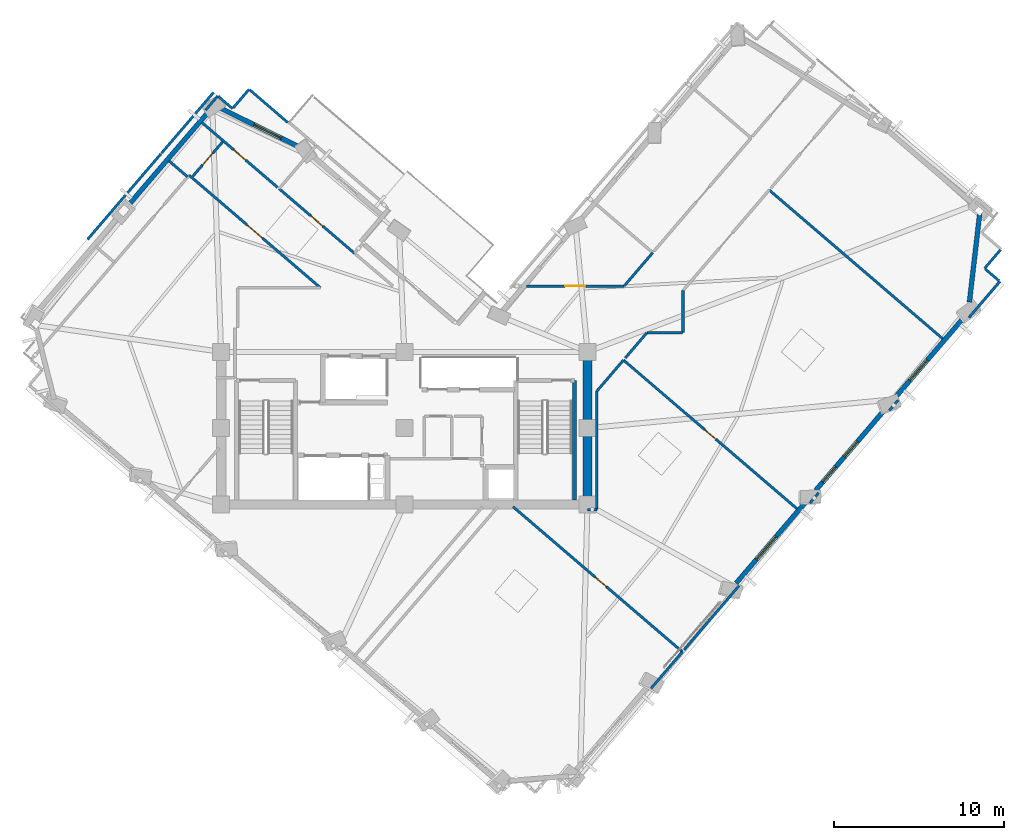
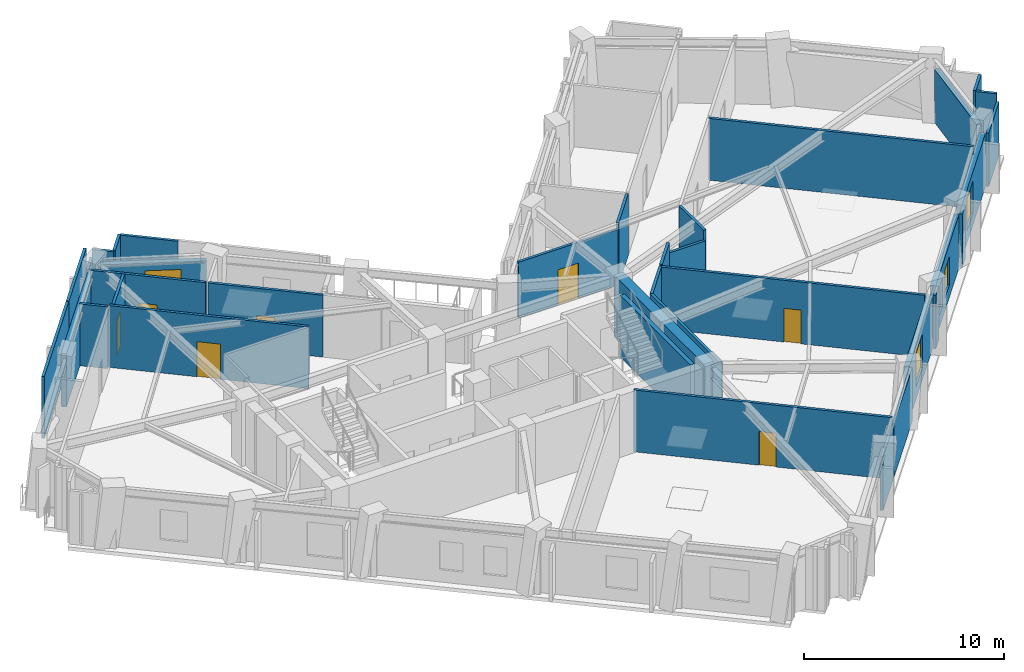
# One storey, part 7 of 12: 37 walls, 7 doors, 5 windows, 12 openings.
"""IFC4 building model written with IfcOpenShell, lengths in metres."""

from ifc_helpers import new_model, si_unit, direction, frame, frame_2d, origin, place, context, subcontext, project, spatial, rectangle, extrude, material, layer, layer_set, type_object, element, fill, save


model = new_model("IFC4")

# Units and contexts
model_context = context("Model", 3, precision=1e-05, world=origin(), true_north=direction((0.0, 1.0)))
body_context = subcontext(model_context, "Body", "Model", "MODEL_VIEW")
ifc_project = project(units=[si_unit("LENGTHUNIT", "METRE"), si_unit("AREAUNIT", "SQUARE_METRE"), si_unit("VOLUMEUNIT", "CUBIC_METRE"), si_unit("PLANEANGLEUNIT", "RADIAN"), si_unit("MASSUNIT", "GRAM", prefix="KILO")], contexts=[model_context])

# Site, building, storey
site_placement = place(None, origin())
site = spatial("IfcSite", under=ifc_project, at=site_placement, CompositionType="ELEMENT")
building_placement = place(site_placement, origin())
building = spatial("IfcBuilding", under=site, at=building_placement, Name="Gaonmaruhae Medical Tower", CompositionType="ELEMENT")
storey_placement = place(building_placement, frame((0.0, 0.0, 235.199951171875)))
storey = spatial("IfcBuildingStorey", under=building, at=storey_placement, Name="L56", CompositionType="ELEMENT", Elevation=235.199951171875)

# Wall
ifc_material_1 = material(Name="Concrete C50/60", Category="concrete")
ifc_layer_1 = layer(ifc_material_1, 0.550048828125)
ifc_layer_set_1 = layer_set([ifc_layer_1], Name="Concrete C50/60")
wall_type_1 = type_object("IfcWallType", Name="CW-550 Mid-High Core Shear Wall", PredefinedType="SHEAR", material=ifc_layer_set_1)
wall_1_placement = place(storey_placement, frame((35.60009765625, 7.800048828125, 0.0), z_axis=(0.0, 0.0, 1.0), x_axis=(0.0, 1.0, 0.0)))
element("IfcWall", 1, at=wall_1_placement, inside=storey, type_object=wall_type_1, Name="L56 Core Shear Wall CSW-E1", PredefinedType="SHEAR", context=body_context, shape_type="SweptSolid", body=[
    extrude(rectangle(XDim=9.0, YDim=0.550048828125, at=frame_2d((4.5, 0.0))), origin(), (0.0, 0.0, 1.0), 3.780029296875),
])

# Wall, opening, window
ifc_material_2 = material(Name="Precast concrete C45/55", Category="concrete")
ifc_layer_2 = layer(ifc_material_2, 0.280029296875)
ifc_layer_set_2 = layer_set([ifc_layer_2], Name="Precast concrete C45/55")
wall_type_2 = type_object("IfcWallType", Name="EW-280 Upper Precast Masonry-Frame Facade Wall", PredefinedType="SOLIDWALL", material=ifc_layer_set_2)
wall_2_placement = place(storey_placement, frame((48.533447265625, 8.033203125, 0.0), z_axis=(0.0, 0.0, 1.0), x_axis=(-0.65075688848, -0.759286159557, 0.0)))
wall_2 = element("IfcWall", 2, at=wall_2_placement, inside=storey, type_object=wall_type_2, Name="L56 Precast Masonry-Frame Wall S03-S04", PredefinedType="SOLIDWALL", context=body_context, shape_type="SweptSolid", body=[
    extrude(rectangle(XDim=6.413330078125, YDim=0.280029296875, at=frame_2d((3.20654296875, 0.0))), origin(), (0.0, 0.0, 1.0), 3.26513671875),
])
opening_1_placement = place(wall_2_placement, frame((2.783203125, 0.0, 0.75)))
opening_1 = element("IfcOpeningElement", 3, at=opening_1_placement, cuts=wall_2, Name="Opening WN-04", PredefinedType="OPENING", context=body_context, shape_type="SweptSolid", body=[
    extrude(rectangle(XDim=1.800048828125, YDim=2.050048828125, at=frame_2d((0.89990234375, 1.02490234375))), frame((0.0, 0.14990234375, 0.0), z_axis=(0.0, -1.0, 0.0), x_axis=(1.0, 0.0, 0.0)), (0.0, 0.0, 1.0), 0.300048828125),
])
ifc_material_3 = material(Name="Anodised aluminium and Low-E double glazing", Category="aluminium")
window_type_1 = type_object("IfcWindowType", Name="WN-04 Clinic & Consult Punched Window 1800x2050", PartitioningType="SINGLE_PANEL", PredefinedType="WINDOW", material=ifc_material_3)
window_1_placement = place(opening_1_placement, origin())
window_1 = element("IfcWindow", 4, at=window_1_placement, inside=storey, type_object=window_type_1, Name="L56 Modular Facade Window S03", OverallHeight=2.050048828125, OverallWidth=1.800048828125, PartitioningType="SINGLE_PANEL", PredefinedType="WINDOW", context=body_context, shape_type="SweptSolid", body=[
    extrude(rectangle(XDim=1.800048828125, YDim=2.050048828125, at=frame_2d((0.89990234375, 1.02490234375))), frame((0.0, 0.030029296875, 0.0), z_axis=(0.0, -1.0, 0.0), x_axis=(1.0, 0.0, 0.0)), (0.0, 0.0, 1.0), 0.06005859375),
])
fill(opening_1, window_1)

# Wall, openings, windows
wall_3_placement = place(storey_placement, frame((53.219482421875, 13.50048828125, 0.0), z_axis=(0.0, 0.0, 1.0), x_axis=(-0.650778820715, -0.759267361678, 0.0)))
wall_3 = element("IfcWall", 5, at=wall_3_placement, inside=storey, type_object=wall_type_2, Name="L56 Precast Masonry-Frame Wall S04-S05", PredefinedType="SOLIDWALL", context=body_context, shape_type="SweptSolid", body=[
    extrude(rectangle(XDim=6.40673828125, YDim=0.280029296875, at=frame_2d((3.203369140625, 0.0))), origin(), (0.0, 0.0, 1.0), 3.26513671875),
])
opening_2_placement = place(wall_3_placement, frame((2.603759765625, 0.0, 0.75)))
opening_2 = element("IfcOpeningElement", 6, at=opening_2_placement, cuts=wall_3, Name="Opening WN-05", PredefinedType="OPENING", context=body_context, shape_type="SweptSolid", body=[
    extrude(rectangle(XDim=1.199951171875, YDim=1.75, at=frame_2d((0.60009765625, 0.875))), frame((0.0, 0.14990234375, 0.0), z_axis=(0.0, -1.0, 0.0), x_axis=(1.0, 0.0, 0.0)), (0.0, 0.0, 1.0), 0.300048828125),
])
opening_3_placement = place(wall_3_placement, frame((4.570068359375, 0.0, 0.75)))
opening_3 = element("IfcOpeningElement", 7, at=opening_3_placement, cuts=wall_3, Name="Opening WN-05", PredefinedType="OPENING", context=body_context, shape_type="SweptSolid", body=[
    extrude(rectangle(XDim=1.199951171875, YDim=1.75, at=frame_2d((0.60009765625, 0.875))), frame((0.0, 0.14990234375, 0.0), z_axis=(0.0, -1.0, 0.0), x_axis=(1.0, 0.0, 0.0)), (0.0, 0.0, 1.0), 0.300048828125),
])
window_type_2 = type_object("IfcWindowType", Name="WN-05 Support & Staff Punched Window 1200x1750", PartitioningType="SINGLE_PANEL", PredefinedType="WINDOW", material=ifc_material_3)
window_2_placement = place(opening_2_placement, origin())
window_2 = element("IfcWindow", 8, at=window_2_placement, inside=storey, type_object=window_type_2, Name="L56 Modular Facade Window S04", OverallHeight=1.75, OverallWidth=1.199951171875, PartitioningType="SINGLE_PANEL", PredefinedType="WINDOW", context=body_context, shape_type="SweptSolid", body=[
    extrude(rectangle(XDim=1.199951171875, YDim=1.75, at=frame_2d((0.60009765625, 0.875))), frame((0.0, 0.030029296875, 0.0), z_axis=(0.0, -1.0, 0.0), x_axis=(1.0, 0.0, 0.0)), (0.0, 0.0, 1.0), 0.06005859375),
])
fill(opening_2, window_2)
window_3_placement = place(opening_3_placement, origin())
window_3 = element("IfcWindow", 9, at=window_3_placement, inside=storey, type_object=window_type_2, Name="L56 Modular Facade Window S04B", OverallHeight=1.75, OverallWidth=1.199951171875, PartitioningType="SINGLE_PANEL", PredefinedType="WINDOW", context=body_context, shape_type="SweptSolid", body=[
    extrude(rectangle(XDim=1.199951171875, YDim=1.75, at=frame_2d((0.60009765625, 0.875))), frame((0.0, 0.030029296875, 0.0), z_axis=(0.0, -1.0, 0.0), x_axis=(1.0, 0.0, 0.0)), (0.0, 0.0, 1.0), 0.06005859375),
])
fill(opening_3, window_3)

# Wall, opening, window
wall_4_placement = place(storey_placement, frame((57.91162109375, 18.974609375, 0.0), z_axis=(0.0, 0.0, 1.0), x_axis=(-0.650781975929, -0.759264657287, 0.0)))
wall_4 = element("IfcWall", 10, at=wall_4_placement, inside=storey, type_object=wall_type_2, Name="L56 Precast Masonry-Frame Wall S05-S06", PredefinedType="SOLIDWALL", context=body_context, shape_type="SweptSolid", body=[
    extrude(rectangle(XDim=6.41845703125, YDim=0.280029296875, at=frame_2d((3.209228515625, 0.0))), origin(), (0.0, 0.0, 1.0), 3.26513671875),
])
opening_4_placement = place(wall_4_placement, frame((3.492919921875, 0.0, 0.75)))
opening_4 = element("IfcOpeningElement", 11, at=opening_4_placement, cuts=wall_4, Name="Opening WN-01", PredefinedType="OPENING", context=body_context, shape_type="SweptSolid", body=[
    extrude(rectangle(XDim=1.60009765625, YDim=1.949951171875, at=frame_2d((0.800048828125, 0.97509765625))), frame((0.0, 0.14990234375, 0.0), z_axis=(0.0, -1.0, 0.0), x_axis=(1.0, 0.0, 0.0)), (0.0, 0.0, 1.0), 0.300048828125),
])
window_type_3 = type_object("IfcWindowType", Name="WN-01 Ward Punched Acoustic Window 1600x1950", PartitioningType="SINGLE_PANEL", PredefinedType="WINDOW", material=ifc_material_3)
window_4_placement = place(opening_4_placement, origin())
window_4 = element("IfcWindow", 12, at=window_4_placement, inside=storey, type_object=window_type_3, Name="L56 Modular Facade Window S05", OverallHeight=1.949951171875, OverallWidth=1.60009765625, PartitioningType="SINGLE_PANEL", PredefinedType="WINDOW", context=body_context, shape_type="SweptSolid", body=[
    extrude(rectangle(XDim=1.60009765625, YDim=1.949951171875, at=frame_2d((0.800048828125, 0.97509765625))), frame((0.0, 0.030029296875, 0.0), z_axis=(0.0, -1.0, 0.0), x_axis=(1.0, 0.0, 0.0)), (0.0, 0.0, 1.0), 0.06005859375),
])
fill(opening_4, window_4)

# Wall
wall_5_placement = place(storey_placement, frame((58.7255859375, 24.986083984375, 0.0), z_axis=(0.0, 0.0, 1.0), x_axis=(-0.115749518147, -0.993278434805, 0.0)))
element("IfcWall", 13, at=wall_5_placement, inside=storey, type_object=wall_type_2, Name="L56 Precast Masonry-Frame Wall S06-E01", PredefinedType="SOLIDWALL", context=body_context, shape_type="SweptSolid", body=[
    extrude(rectangle(XDim=5.294189453125, YDim=0.280029296875, at=frame_2d((2.64697265625, 0.0))), origin(), (0.0, 0.0, 1.0), 3.26513671875),
])

# Wall, opening, window
wall_6_placement = place(storey_placement, frame((13.93798828125, 31.17578125, 0.0), z_axis=(0.0, 0.0, 1.0), x_axis=(0.89710891672, -0.441809451621, 0.0)))
wall_6 = element("IfcWall", 14, at=wall_6_placement, inside=storey, type_object=wall_type_2, Name="L56 Precast Masonry-Frame Wall NE02-N01", PredefinedType="SOLIDWALL", context=body_context, shape_type="SweptSolid", body=[
    extrude(rectangle(XDim=5.302734375, YDim=0.280029296875, at=frame_2d((2.6513671875, 0.0))), origin(), (0.0, 0.0, 1.0), 3.26513671875),
])
opening_5_placement = place(wall_6_placement, frame((2.2197265625, 0.0, 0.75)))
opening_5 = element("IfcOpeningElement", 15, at=opening_5_placement, cuts=wall_6, Name="Opening WN-04", PredefinedType="OPENING", context=body_context, shape_type="SweptSolid", body=[
    extrude(rectangle(XDim=1.800048828125, YDim=2.050048828125, at=frame_2d((0.89990234375, 1.02490234375))), frame((0.0, 0.14990234375, 0.0), z_axis=(0.0, -1.0, 0.0), x_axis=(1.0, 0.0, 0.0)), (0.0, 0.0, 1.0), 0.300048828125),
])
window_5_placement = place(opening_5_placement, origin())
window_5 = element("IfcWindow", 16, at=window_5_placement, inside=storey, type_object=window_type_1, Name="L56 Modular Facade Window NE02", OverallHeight=2.050048828125, OverallWidth=1.800048828125, PartitioningType="SINGLE_PANEL", PredefinedType="WINDOW", context=body_context, shape_type="SweptSolid", body=[
    extrude(rectangle(XDim=1.800048828125, YDim=2.050048828125, at=frame_2d((0.89990234375, 1.02490234375))), frame((0.0, 0.030029296875, 0.0), z_axis=(0.0, -1.0, 0.0), x_axis=(1.0, 0.0, 0.0)), (0.0, 0.0, 1.0), 0.06005859375),
])
fill(opening_5, window_5)

# Wall
wall_7_placement = place(storey_placement, frame((8.39599609375, 25.281494140625, 0.0), z_axis=(0.0, 0.0, 1.0), x_axis=(0.650769737018, 0.759275147349, 0.0)))
element("IfcWall", 17, at=wall_7_placement, inside=storey, type_object=wall_type_2, Name="L56 Precast Masonry-Frame Wall N01-N02", PredefinedType="SOLIDWALL", context=body_context, shape_type="SweptSolid", body=[
    extrude(rectangle(XDim=7.43408203125, YDim=0.280029296875, at=frame_2d((3.717041015625, 0.0))), origin(), (0.0, 0.0, 1.0), 3.26513671875),
])

# Wall, opening, door
ifc_material_4 = material(Name="Gypsum board partition", Category="gypsum")
ifc_layer_3 = layer(ifc_material_4, 0.14990234375)
ifc_layer_set_3 = layer_set([ifc_layer_3], Name="Gypsum board partition")
wall_type_3 = type_object("IfcWallType", Name="PW-150 Rated Clinical Corridor Partition", PredefinedType="PARTITIONING", material=ifc_layer_set_3)
wall_8_placement = place(storey_placement, frame((31.20703125, 7.675048828125, 0.0), z_axis=(0.0, 0.0, 1.0), x_axis=(0.759272325888, -0.650773028897, 0.0)))
wall_8 = element("IfcWall", 18, at=wall_8_placement, inside=storey, type_object=wall_type_3, Name="L56 Interior Partition L56-SUP01-13", PredefinedType="PARTITIONING", context=body_context, shape_type="SweptSolid", body=[
    extrude(rectangle(XDim=13.152099609375, YDim=0.14990234375, at=frame_2d((6.576171875, 0.0))), origin(), (0.0, 0.0, 1.0), 3.780029296875),
])
opening_6_placement = place(wall_8_placement, frame((6.392578125, 0.0, 0.0)))
opening_6 = element("IfcOpeningElement", 19, at=opening_6_placement, cuts=wall_8, Name="Opening AD-01", PredefinedType="OPENING", context=body_context, shape_type="SweptSolid", body=[
    extrude(rectangle(XDim=0.860107421875, YDim=2.06005859375, at=frame_2d((0.43017578125, 1.030029296875))), frame((0.0, 0.0849609375, 0.0), z_axis=(0.0, -1.0, 0.0), x_axis=(1.0, 0.0, 0.0)), (0.0, 0.0, 1.0), 0.169921875),
])
ifc_material_5 = material(Name="Powder-coated steel access door", Category="steel")
door_type_1 = type_object("IfcDoorType", Name="AD-01 Riser & Closet Access Fire Door 860x2060", OperationType="NOTDEFINED", PredefinedType="DOOR", material=ifc_material_5)
door_1_placement = place(opening_6_placement, origin())
door_1 = element("IfcDoor", 20, at=door_1_placement, inside=storey, type_object=door_type_1, Name="L56 Clinical Biomedical Charting Office Sliding Door", OperationType="SLIDING_TO_LEFT", OverallHeight=2.06005859375, OverallWidth=0.860107421875, PredefinedType="DOOR", context=body_context, shape_type="SweptSolid", body=[
    extrude(rectangle(XDim=0.860107421875, YDim=2.06005859375, at=frame_2d((0.43017578125, 1.030029296875))), frame((0.0, 0.02490234375, 0.0), z_axis=(0.0, -1.0, 0.0), x_axis=(1.0, 0.0, 0.0)), (0.0, 0.0, 1.0), 0.050048828125),
])
fill(opening_6, door_1)

# Walls
wall_9_placement = place(storey_placement, frame((41.193115234375, -0.884033203125, 0.0), z_axis=(0.0, 0.0, 1.0), x_axis=(-0.650727345681, -0.759311478632, 0.0)))
element("IfcWall", 21, at=wall_9_placement, inside=storey, type_object=wall_type_3, Name="L56 Interior Partition L56-SUP01-14", PredefinedType="PARTITIONING", context=body_context, shape_type="SweptSolid", body=[
    extrude(rectangle(XDim=2.826171875, YDim=0.14990234375, at=frame_2d((1.4130859375, 0.0))), origin(), (0.0, 0.0, 1.0), 3.26513671875),
])
wall_10_placement = place(storey_placement, frame((36.14990234375, 14.48291015625, 0.0), z_axis=(0.0, 0.0, 1.0), x_axis=(0.650766388243, 0.759278017549, 0.0)))
element("IfcWall", 22, at=wall_10_placement, inside=storey, type_object=wall_type_3, Name="L56 Interior Partition L56-SUP02-18", PredefinedType="PARTITIONING", context=body_context, shape_type="SweptSolid", body=[
    extrude(rectangle(XDim=2.4140625, YDim=0.14990234375, at=frame_2d((1.20703125, 0.0))), origin(), (0.0, 0.0, 1.0), 3.780029296875),
])

# Wall, opening, door
wall_11_placement = place(storey_placement, frame((37.720947265625, 16.31591796875, 0.0), z_axis=(0.0, 0.0, 1.0), x_axis=(0.759307720166, -0.650731731281, 0.0)))
wall_11 = element("IfcWall", 23, at=wall_11_placement, inside=storey, type_object=wall_type_3, Name="L56 Interior Partition L56-SUP02-19", PredefinedType="PARTITIONING", context=body_context, shape_type="SweptSolid", body=[
    extrude(rectangle(XDim=13.484619140625, YDim=0.14990234375, at=frame_2d((6.7421875, 0.0))), origin(), (0.0, 0.0, 1.0), 3.780029296875),
])
opening_7_placement = place(wall_11_placement, frame((6.3125, 0.0, 0.0)))
opening_7 = element("IfcOpeningElement", 24, at=opening_7_placement, cuts=wall_11, Name="Opening AD-01", PredefinedType="OPENING", context=body_context, shape_type="SweptSolid", body=[
    extrude(rectangle(XDim=0.860107421875, YDim=2.06005859375, at=frame_2d((0.43017578125, 1.030029296875))), frame((0.0, 0.0849609375, 0.0), z_axis=(0.0, -1.0, 0.0), x_axis=(1.0, 0.0, 0.0)), (0.0, 0.0, 1.0), 0.169921875),
])
door_2_placement = place(opening_7_placement, origin())
door_2 = element("IfcDoor", 25, at=door_2_placement, inside=storey, type_object=door_type_1, Name="L56 Clinical Biomedical Charting Office Sliding Door", OperationType="SLIDING_TO_LEFT", OverallHeight=2.06005859375, OverallWidth=0.860107421875, PredefinedType="DOOR", context=body_context, shape_type="SweptSolid", body=[
    extrude(rectangle(XDim=0.860107421875, YDim=2.06005859375, at=frame_2d((0.43017578125, 1.030029296875))), frame((0.0, 0.02490234375, 0.0), z_axis=(0.0, -1.0, 0.0), x_axis=(1.0, 0.0, 0.0)), (0.0, 0.0, 1.0), 0.050048828125),
])
fill(opening_7, door_2)

# Walls
wall_12_placement = place(storey_placement, frame((44.533935546875, 3.013916015625, 0.0), z_axis=(0.0, 0.0, 1.0), x_axis=(-0.6507347825, -0.759305105241, 0.0)))
element("IfcWall", 26, at=wall_12_placement, inside=storey, type_object=wall_type_3, Name="L56 Interior Partition L56-SUP02-20", PredefinedType="PARTITIONING", context=body_context, shape_type="SweptSolid", body=[
    extrude(rectangle(XDim=4.97412109375, YDim=0.14990234375, at=frame_2d((2.487060546875, 0.0))), origin(), (0.0, 0.0, 1.0), 3.26513671875),
])
wall_13_placement = place(storey_placement, frame((35.60009765625, 7.5, 0.0), z_axis=(0.0, 0.0, 1.0), x_axis=(1.0, 0.0, 0.0)))
element("IfcWall", 27, at=wall_13_placement, inside=storey, type_object=wall_type_3, Name="L56 Interior Partition L56-SUP02-21", PredefinedType="PARTITIONING", context=body_context, shape_type="SweptSolid", body=[
    extrude(rectangle(XDim=0.5498046875, YDim=0.14990234375, at=frame_2d((0.27490234375, 0.0))), origin(), (0.0, 0.0, 1.0), 3.780029296875),
])
wall_14_placement = place(storey_placement, frame((36.14990234375, 7.5, 0.0), z_axis=(0.0, 0.0, 1.0), x_axis=(0.0, 1.0, 0.0)))
element("IfcWall", 28, at=wall_14_placement, inside=storey, type_object=wall_type_3, Name="L56 Interior Partition L56-SUP02-22", PredefinedType="PARTITIONING", context=body_context, shape_type="SweptSolid", body=[
    extrude(rectangle(XDim=6.98291015625, YDim=0.14990234375, at=frame_2d((3.491455078125, 0.0))), origin(), (0.0, 0.0, 1.0), 3.780029296875),
])
wall_15_placement = place(storey_placement, frame((41.22998046875, 17.949951171875, 0.0), z_axis=(0.0, 0.0, 1.0), x_axis=(0.0, 1.0, 0.0)))
element("IfcWall", 29, at=wall_15_placement, inside=storey, type_object=wall_type_3, Name="L56 Interior Partition L56-SUP03-23", PredefinedType="PARTITIONING", context=body_context, shape_type="SweptSolid", body=[
    extrude(rectangle(XDim=2.4599609375, YDim=0.14990234375, at=frame_2d((1.22998046875, 0.0))), origin(), (0.0, 0.0, 1.0), 3.780029296875),
])
wall_16_placement = place(storey_placement, frame((46.31103515625, 26.337890625, 0.0), z_axis=(0.0, 0.0, 1.0), x_axis=(0.759307720166, -0.650731731281, 0.0)))
element("IfcWall", 30, at=wall_16_placement, inside=storey, type_object=wall_type_3, Name="L56 Interior Partition L56-SUP03-25", PredefinedType="PARTITIONING", context=body_context, shape_type="SweptSolid", body=[
    extrude(rectangle(XDim=13.484619140625, YDim=0.14990234375, at=frame_2d((6.7421875, 0.0))), origin(), (0.0, 0.0, 1.0), 3.780029296875),
])
wall_17_placement = place(storey_placement, frame((53.908935546875, 13.951904296875, 0.0), z_axis=(0.0, 0.0, 1.0), x_axis=(-0.650715142145, -0.759321936851, 0.0)))
element("IfcWall", 31, at=wall_17_placement, inside=storey, type_object=wall_type_3, Name="L56 Interior Partition L56-SUP03-26", PredefinedType="PARTITIONING", context=body_context, shape_type="SweptSolid", body=[
    extrude(rectangle(XDim=0.791259765625, YDim=0.14990234375, at=frame_2d((0.3955078125, 0.0))), origin(), (0.0, 0.0, 1.0), 3.26513671875),
])
wall_18_placement = place(storey_placement, frame((49.22509765625, 8.486083984375, 0.0), z_axis=(0.0, 0.0, 1.0), x_axis=(-0.65094322188, -0.759126420228, 0.0)))
element("IfcWall", 32, at=wall_18_placement, inside=storey, type_object=wall_type_3, Name="L56 Interior Partition L56-SUP03-27", PredefinedType="PARTITIONING", context=body_context, shape_type="SweptSolid", body=[
    extrude(rectangle(XDim=0.79443359375, YDim=0.14990234375, at=frame_2d((0.397216796875, 0.0))), origin(), (0.0, 0.0, 1.0), 3.26513671875),
])
wall_19_placement = place(storey_placement, frame((37.824951171875, 16.43701171875, 0.0), z_axis=(0.0, 0.0, 1.0), x_axis=(0.650770784324, 0.759274249709, 0.0)))
element("IfcWall", 33, at=wall_19_placement, inside=storey, type_object=wall_type_3, Name="L56 Interior Partition L56-SUP03-28", PredefinedType="PARTITIONING", context=body_context, shape_type="SweptSolid", body=[
    extrude(rectangle(XDim=1.953125, YDim=0.14990234375, at=frame_2d((0.9765625, 0.0))), origin(), (0.0, 0.0, 1.0), 3.780029296875),
])
wall_20_placement = place(storey_placement, frame((39.095947265625, 17.919921875, 0.0), z_axis=(0.0, 0.0, 1.0), x_axis=(1.0, 0.0, 0.0)))
element("IfcWall", 34, at=wall_20_placement, inside=storey, type_object=wall_type_3, Name="L56 Interior Partition L56-SUP03-29", PredefinedType="PARTITIONING", context=body_context, shape_type="SweptSolid", body=[
    extrude(rectangle(XDim=2.10693359375, YDim=0.14990234375, at=frame_2d((1.053466796875, 0.0))), origin(), (0.0, 0.0, 1.0), 3.1650390625),
])
wall_21_placement = place(storey_placement, frame((59.908935546875, 20.951904296875, 0.0), z_axis=(0.0, 0.0, 1.0), x_axis=(-0.65076984133, -0.759275057944, 0.0)))
element("IfcWall", 35, at=wall_21_placement, inside=storey, type_object=wall_type_3, Name="L56 Interior Partition L56-SUP04-30", PredefinedType="PARTITIONING", context=body_context, shape_type="SweptSolid", body=[
    extrude(rectangle(XDim=2.80126953125, YDim=0.14990234375, at=frame_2d((1.400634765625, 0.0))), origin(), (0.0, 0.0, 1.0), 3.26513671875),
])
wall_22_placement = place(storey_placement, frame((59.95703125, 22.821044921875, 0.0), z_axis=(0.0, 0.0, 1.0), x_axis=(-0.650916123841, -0.759149655683, 0.0)))
element("IfcWall", 36, at=wall_22_placement, inside=storey, type_object=wall_type_3, Name="L56 Interior Partition L56-SUP04-38", PredefinedType="PARTITIONING", context=body_context, shape_type="SweptSolid", body=[
    extrude(rectangle(XDim=1.450439453125, YDim=0.14990234375, at=frame_2d((0.72509765625, 0.0))), origin(), (0.0, 0.0, 1.0), 3.780029296875),
])
wall_23_placement = place(storey_placement, frame((59.051025390625, 21.68701171875, 0.0), z_axis=(0.0, 0.0, 1.0), x_axis=(0.759719402276, -0.650251051368, 0.0)))
element("IfcWall", 37, at=wall_23_placement, inside=storey, type_object=wall_type_3, Name="L56 Interior Partition L56-SUP04-39", PredefinedType="PARTITIONING", context=body_context, shape_type="SweptSolid", body=[
    extrude(rectangle(XDim=1.079345703125, YDim=0.14990234375, at=frame_2d((0.53955078125, 0.0))), origin(), (0.0, 0.0, 1.0), 3.780029296875),
])

# Wall, opening, door
wall_24_placement = place(storey_placement, frame((12.12109375, 27.20703125, 0.0), z_axis=(0.0, 0.0, 1.0), x_axis=(0.759276909928, -0.650767680552, 0.0)))
wall_24 = element("IfcWall", 38, at=wall_24_placement, inside=storey, type_object=wall_type_3, Name="L56 Interior Partition L56-WOF06-53", PredefinedType="PARTITIONING", context=body_context, shape_type="SweptSolid", body=[
    extrude(rectangle(XDim=10.183349609375, YDim=0.14990234375, at=frame_2d((5.091796875, 0.0))), origin(), (0.0, 0.0, 1.0), 3.780029296875),
])
opening_8_placement = place(wall_24_placement, frame((4.49169921875, 0.0, 0.0)))
opening_8 = element("IfcOpeningElement", 39, at=opening_8_placement, cuts=wall_24, Name="Opening CD-02", PredefinedType="OPENING", context=body_context, shape_type="SweptSolid", body=[
    extrude(rectangle(XDim=1.199951171875, YDim=2.14990234375, at=frame_2d((0.60009765625, 1.074951171875))), frame((0.0, 0.0849609375, 0.0), z_axis=(0.0, -1.0, 0.0), x_axis=(1.0, 0.0, 0.0)), (0.0, 0.0, 1.0), 0.169921875),
])
ifc_material_6 = material(Name="Antimicrobial laminate timber fire door", Category="wood")
door_type_2 = type_object("IfcDoorType", Name="CD-02 Clinical Treatment & Procedure Door 1200x2150", OperationType="NOTDEFINED", PredefinedType="DOOR", material=ifc_material_6)
door_3_placement = place(opening_8_placement, origin())
door_3 = element("IfcDoor", 40, at=door_3_placement, inside=storey, type_object=door_type_2, Name="L56 Ward Physician Reporting Office Door", OperationType="SINGLE_SWING_RIGHT", OverallHeight=2.14990234375, OverallWidth=1.199951171875, PredefinedType="DOOR", context=body_context, shape_type="SweptSolid", body=[
    extrude(rectangle(XDim=1.199951171875, YDim=2.14990234375, at=frame_2d((0.60009765625, 1.074951171875))), frame((0.0, 0.02490234375, 0.0), z_axis=(0.0, -1.0, 0.0), x_axis=(1.0, 0.0, 0.0)), (0.0, 0.0, 1.0), 0.050048828125),
])
fill(opening_8, door_3)

# Wall
wall_25_placement = place(storey_placement, frame((39.445068359375, 22.64599609375, 0.0), z_axis=(0.0, 0.0, 1.0), x_axis=(-0.650760314073, -0.759283223592, 0.0)))
element("IfcWall", 41, at=wall_25_placement, inside=storey, type_object=wall_type_3, Name="L56 Interior Partition L56-IE01-58", PredefinedType="PARTITIONING", context=body_context, shape_type="SweptSolid", body=[
    extrude(rectangle(XDim=2.58935546875, YDim=0.14990234375, at=frame_2d((1.294677734375, 0.0))), origin(), (0.0, 0.0, 1.0), 3.780029296875),
])

# Wall, opening, door
wall_26_placement = place(storey_placement, frame((37.760009765625, 20.679931640625, 0.0), z_axis=(0.0, 0.0, 1.0), x_axis=(-1.0, 0.0, 0.0)))
wall_26 = element("IfcWall", 42, at=wall_26_placement, inside=storey, type_object=wall_type_3, Name="L56 Interior Partition L56-IE01-59", PredefinedType="PARTITIONING", context=body_context, shape_type="SweptSolid", body=[
    extrude(rectangle(XDim=5.761962890625, YDim=0.14990234375, at=frame_2d((2.880859375, 0.0))), origin(), (0.0, 0.0, 1.0), 3.4150390625),
])
opening_9_placement = place(wall_26_placement, frame((2.281005859375, 0.0, 0.0)))
opening_9 = element("IfcOpeningElement", 43, at=opening_9_placement, cuts=wall_26, Name="Opening CD-02", PredefinedType="OPENING", context=body_context, shape_type="SweptSolid", body=[
    extrude(rectangle(XDim=1.199951171875, YDim=2.14990234375, at=frame_2d((0.60009765625, 1.074951171875))), frame((0.0, 0.0849609375, 0.0), z_axis=(0.0, -1.0, 0.0), x_axis=(1.0, 0.0, 0.0)), (0.0, 0.0, 1.0), 0.169921875),
])
door_4_placement = place(opening_9_placement, origin())
door_4 = element("IfcDoor", 44, at=door_4_placement, inside=storey, type_object=door_type_2, Name="L56 Central Clinical Nurse Station Door", OperationType="SINGLE_SWING_LEFT", OverallHeight=2.14990234375, OverallWidth=1.199951171875, PredefinedType="DOOR", context=body_context, shape_type="SweptSolid", body=[
    extrude(rectangle(XDim=1.199951171875, YDim=2.14990234375, at=frame_2d((0.60009765625, 1.074951171875))), frame((0.0, 0.02490234375, 0.0), z_axis=(0.0, -1.0, 0.0), x_axis=(1.0, 0.0, 0.0)), (0.0, 0.0, 1.0), 0.050048828125),
])
fill(opening_9, door_4)

wall_27_placement = place(storey_placement, frame((21.85791015625, 22.615966796875, 0.0), z_axis=(0.0, 0.0, 1.0), x_axis=(-0.759330296465, 0.650705387153, 0.0)))
wall_27 = element("IfcWall", 45, at=wall_27_placement, inside=storey, type_object=wall_type_3, Name="L56 Interior Partition L56-IN02-72", PredefinedType="PARTITIONING", context=body_context, shape_type="SweptSolid", body=[
    extrude(rectangle(XDim=5.845947265625, YDim=0.14990234375, at=frame_2d((2.9228515625, 0.0))), origin(), (0.0, 0.0, 1.0), 3.780029296875),
])
opening_10_placement = place(wall_27_placement, frame((2.462890625, 0.0, 0.0)))
opening_10 = element("IfcOpeningElement", 46, at=opening_10_placement, cuts=wall_27, Name="Opening UD-01", PredefinedType="OPENING", context=body_context, shape_type="SweptSolid", body=[
    extrude(rectangle(XDim=0.919921875, YDim=2.10009765625, at=frame_2d((0.4599609375, 1.050048828125))), frame((0.0, 0.0849609375, 0.0), z_axis=(0.0, -1.0, 0.0), x_axis=(1.0, 0.0, 0.0)), (0.0, 0.0, 1.0), 0.169921875),
])
ifc_material_7 = material(Name="Powder-coated steel utility door", Category="steel")
door_type_3 = type_object("IfcDoorType", Name="UD-01 Toilet, Utility & Housekeeping Door 920x2100", OperationType="NOTDEFINED", PredefinedType="DOOR", material=ifc_material_7)
door_5_placement = place(opening_10_placement, origin())
door_5 = element("IfcDoor", 47, at=door_5_placement, inside=storey, type_object=door_type_3, Name="L56 Ward Nutrition Pantry Door", OperationType="SINGLE_SWING_LEFT", OverallHeight=2.10009765625, OverallWidth=0.919921875, PredefinedType="DOOR", context=body_context, shape_type="SweptSolid", body=[
    extrude(rectangle(XDim=0.919921875, YDim=2.10009765625, at=frame_2d((0.4599609375, 1.050048828125))), frame((0.0, 0.02490234375, 0.0), z_axis=(0.0, -1.0, 0.0), x_axis=(1.0, 0.0, 0.0)), (0.0, 0.0, 1.0), 0.050048828125),
])
fill(opening_10, door_5)

wall_28_placement = place(storey_placement, frame((17.327880859375, 26.498046875, 0.0), z_axis=(0.0, 0.0, 1.0), x_axis=(-0.759230204276, 0.650822169963, 0.0)))
wall_28 = element("IfcWall", 48, at=wall_28_placement, inside=storey, type_object=wall_type_3, Name="L56 Interior Partition L56-IN03-76", PredefinedType="PARTITIONING", context=body_context, shape_type="SweptSolid", body=[
    extrude(rectangle(XDim=5.87548828125, YDim=0.14990234375, at=frame_2d((2.937744140625, 0.0))), origin(), (0.0, 0.0, 1.0), 3.780029296875),
])
opening_11_placement = place(wall_28_placement, frame((2.477783203125, 0.0, 0.0)))
opening_11 = element("IfcOpeningElement", 49, at=opening_11_placement, cuts=wall_28, Name="Opening UD-01", PredefinedType="OPENING", context=body_context, shape_type="SweptSolid", body=[
    extrude(rectangle(XDim=0.919921875, YDim=2.10009765625, at=frame_2d((0.4599609375, 1.050048828125))), frame((0.0, 0.0849609375, 0.0), z_axis=(0.0, -1.0, 0.0), x_axis=(1.0, 0.0, 0.0)), (0.0, 0.0, 1.0), 0.169921875),
])
door_6_placement = place(opening_11_placement, origin())
door_6 = element("IfcDoor", 50, at=door_6_placement, inside=storey, type_object=door_type_3, Name="L56 Public Visitor Toilet Door", OperationType="SINGLE_SWING_LEFT", OverallHeight=2.10009765625, OverallWidth=0.919921875, PredefinedType="DOOR", context=body_context, shape_type="SweptSolid", body=[
    extrude(rectangle(XDim=0.919921875, YDim=2.10009765625, at=frame_2d((0.4599609375, 1.050048828125))), frame((0.0, 0.02490234375, 0.0), z_axis=(0.0, -1.0, 0.0), x_axis=(1.0, 0.0, 0.0)), (0.0, 0.0, 1.0), 0.050048828125),
])
fill(opening_11, door_6)

# Walls
wall_29_placement = place(storey_placement, frame((13.090087890625, 31.050048828125, 0.0), z_axis=(0.0, 0.0, 1.0), x_axis=(0.650499387812, 0.759506778413, 0.0)))
element("IfcWall", 51, at=wall_29_placement, inside=storey, type_object=wall_type_3, Name="L56 Interior Partition L56-IN03-77", PredefinedType="PARTITIONING", context=body_context, shape_type="SweptSolid", body=[
    extrude(rectangle(XDim=1.101806640625, YDim=0.14990234375, at=frame_2d((0.55078125, 0.0))), origin(), (0.0, 0.0, 1.0), 3.26513671875),
])
wall_30_placement = place(storey_placement, frame((13.844970703125, 31.85400390625, 0.0), z_axis=(0.0, 0.0, 1.0), x_axis=(0.759635869727, -0.650348633752, 0.0)))
element("IfcWall", 52, at=wall_30_placement, inside=storey, type_object=wall_type_3, Name="L56 Interior Partition L56-IN03-78", PredefinedType="PARTITIONING", context=body_context, shape_type="SweptSolid", body=[
    extrude(rectangle(XDim=1.090087890625, YDim=0.14990234375, at=frame_2d((0.544921875, 0.0))), origin(), (0.0, 0.0, 1.0), 3.780029296875),
])
wall_31_placement = place(storey_placement, frame((14.7060546875, 31.18310546875, 0.0), z_axis=(0.0, 0.0, 1.0), x_axis=(0.650513900011, 0.759494348822, 0.0)))
element("IfcWall", 53, at=wall_31_placement, inside=storey, type_object=wall_type_3, Name="L56 Interior Partition L56-IN03-79", PredefinedType="PARTITIONING", context=body_context, shape_type="SweptSolid", body=[
    extrude(rectangle(XDim=1.449462890625, YDim=0.14990234375, at=frame_2d((0.724609375, 0.0))), origin(), (0.0, 0.0, 1.0), 3.780029296875),
])
wall_32_placement = place(storey_placement, frame((15.68701171875, 32.2509765625, 0.0), z_axis=(0.0, 0.0, 1.0), x_axis=(0.759134153422, -0.650934203364, 0.0)))
element("IfcWall", 54, at=wall_32_placement, inside=storey, type_object=wall_type_3, Name="L56 Interior Partition L56-IN03-80", PredefinedType="PARTITIONING", context=body_context, shape_type="SweptSolid", body=[
    extrude(rectangle(XDim=2.955810546875, YDim=0.14990234375, at=frame_2d((1.47802734375, 0.0))), origin(), (0.0, 0.0, 1.0), 3.780029296875),
])
wall_33_placement = place(storey_placement, frame((6.125, 23.430908203125, 0.0), z_axis=(0.0, 0.0, 1.0), x_axis=(0.650806514247, 0.759243624282, 0.0)))
element("IfcWall", 55, at=wall_33_placement, inside=storey, type_object=wall_type_3, Name="L56 Interior Partition L56-RM02-82", PredefinedType="PARTITIONING", context=body_context, shape_type="SweptSolid", body=[
    extrude(rectangle(XDim=6.639404296875, YDim=0.14990234375, at=frame_2d((3.31982421875, 0.0))), origin(), (0.0, 0.0, 1.0), 3.780029296875),
])
wall_34_placement = place(storey_placement, frame((10.927978515625, 28.05908203125, 0.0), z_axis=(0.0, 0.0, 1.0), x_axis=(0.759208718958, -0.650847233272, 0.0)))
element("IfcWall", 56, at=wall_34_placement, inside=storey, type_object=wall_type_3, Name="L56 Interior Partition L56-RM02-83", PredefinedType="PARTITIONING", context=body_context, shape_type="SweptSolid", body=[
    extrude(rectangle(XDim=1.439697265625, YDim=0.14990234375, at=frame_2d((0.7197265625, 0.0))), origin(), (0.0, 0.0, 1.0), 3.780029296875),
])
wall_35_placement = place(storey_placement, frame((10.485107421875, 28.51806640625, 0.0), z_axis=(0.0, 0.0, 1.0), x_axis=(0.650868052395, 0.759190870843, 0.0)))
element("IfcWall", 57, at=wall_35_placement, inside=storey, type_object=wall_type_3, Name="L56 Interior Partition L56-RM03-85", PredefinedType="PARTITIONING", context=body_context, shape_type="SweptSolid", body=[
    extrude(rectangle(XDim=4.719482421875, YDim=0.14990234375, at=frame_2d((2.35986328125, 0.0))), origin(), (0.0, 0.0, 1.0), 3.780029296875),
])

# Wall, opening, door
wall_36_placement = place(storey_placement, frame((14.091064453125, 29.177978515625, 0.0), z_axis=(0.0, 0.0, 1.0), x_axis=(-0.655932730302, -0.754819351447, 0.0)))
wall_36 = element("IfcWall", 58, at=wall_36_placement, inside=storey, type_object=wall_type_3, Name="L56 Interior Partition L56-RM03-87", PredefinedType="PARTITIONING", context=body_context, shape_type="SweptSolid", body=[
    extrude(rectangle(XDim=2.6787109375, YDim=0.14990234375, at=frame_2d((1.33935546875, 0.0))), origin(), (0.0, 0.0, 1.0), 3.780029296875),
])
opening_12_placement = place(wall_36_placement, frame((0.87939453125, 0.0, 0.0)))
opening_12 = element("IfcOpeningElement", 59, at=opening_12_placement, cuts=wall_36, Name="Opening UD-01", PredefinedType="OPENING", context=body_context, shape_type="SweptSolid", body=[
    extrude(rectangle(XDim=0.919921875, YDim=2.10009765625, at=frame_2d((0.4599609375, 1.050048828125))), frame((0.0, 0.0849609375, 0.0), z_axis=(0.0, -1.0, 0.0), x_axis=(1.0, 0.0, 0.0)), (0.0, 0.0, 1.0), 0.169921875),
])
door_7_placement = place(opening_12_placement, origin())
door_7 = element("IfcDoor", 60, at=door_7_placement, inside=storey, type_object=door_type_3, Name="L56 Biomedical Mobile Equipment Bay Door", OperationType="SINGLE_SWING_LEFT", OverallHeight=2.10009765625, OverallWidth=0.919921875, PredefinedType="DOOR", context=body_context, shape_type="SweptSolid", body=[
    extrude(rectangle(XDim=0.919921875, YDim=2.10009765625, at=frame_2d((0.4599609375, 1.050048828125))), frame((0.0, 0.02490234375, 0.0), z_axis=(0.0, -1.0, 0.0), x_axis=(1.0, 0.0, 0.0)), (0.0, 0.0, 1.0), 0.050048828125),
])
fill(opening_12, door_7)

# Wall
ifc_layer_4 = layer(ifc_material_1, 0.239990234375)
ifc_layer_set_4 = layer_set([ifc_layer_4], Name="Concrete C50/60")
wall_type_4 = type_object("IfcWallType", Name="SW-240 Dogleg Stair Tight Shaft Wall", PredefinedType="SOLIDWALL", material=ifc_layer_set_4)
wall_37_placement = place(storey_placement, frame((34.830078125, 15.1201171875, 0.0), z_axis=(0.0, 0.0, 1.0), x_axis=(0.0, -1.0, 0.0)))
element("IfcWall", 61, at=wall_37_placement, inside=storey, type_object=wall_type_4, Name="L56 ST-02 Stair Shaft Wall SHW-ST-02-E", PredefinedType="SOLIDWALL", context=body_context, shape_type="SweptSolid", body=[
    extrude(rectangle(XDim=7.045166015625, YDim=0.239990234375, at=frame_2d((3.5224609375, 0.0))), origin(), (0.0, 0.0, 1.0), 3.780029296875),
])

save(model, "model.ifc")
